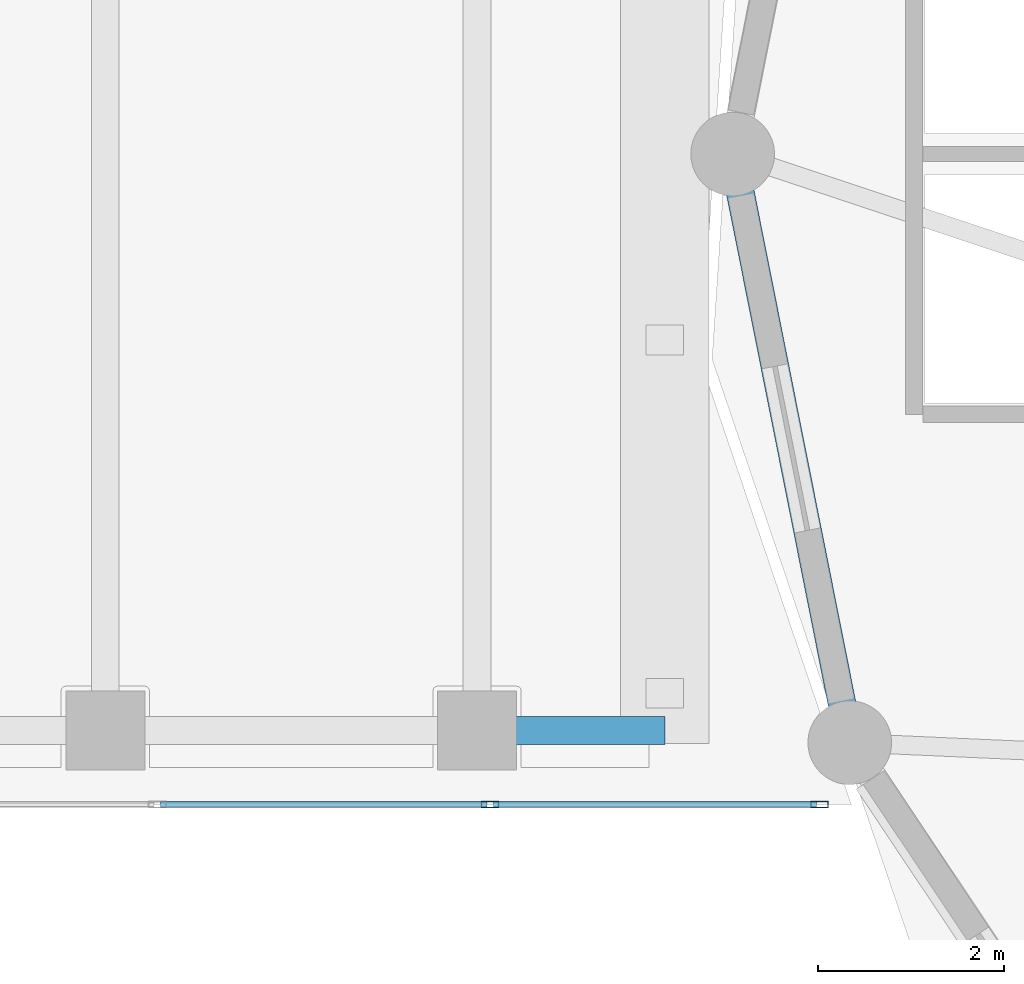
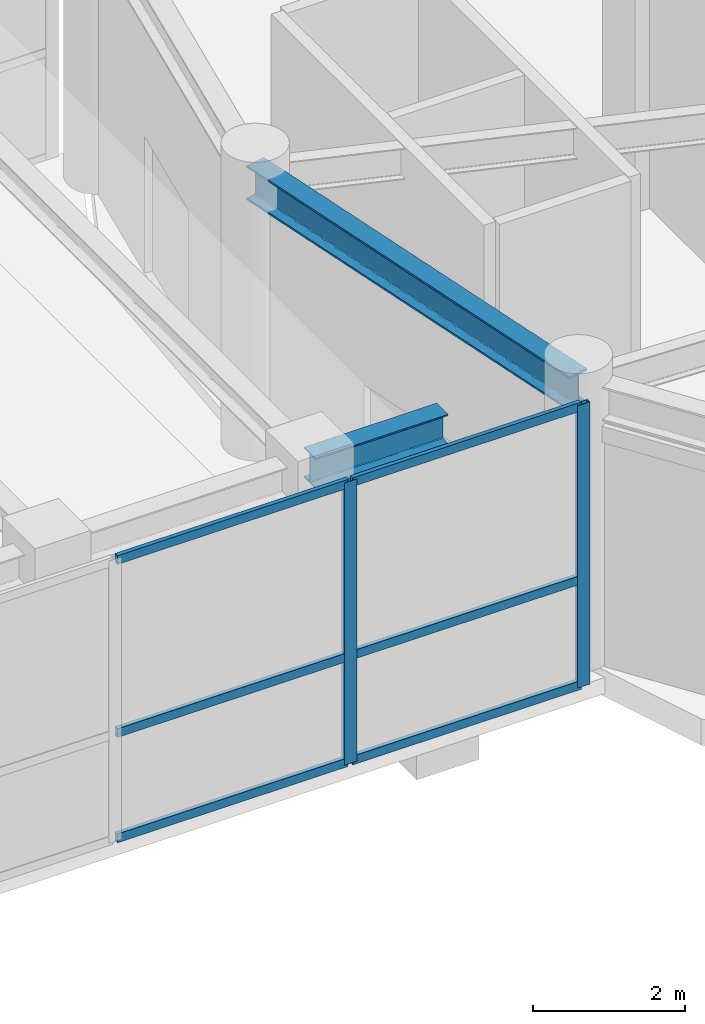
# One storey, part 23 of 48: 8 members, 2 beams, 1 element without a shape of its own.
"""IFC4 building model written with IfcOpenShell, lengths in metres."""

import ifcopenshell
import ifcopenshell.guid

model = None  # the IFC model being written
_history = None  # IfcOwnerHistory: only IFC2X3 demands one
_inside = {}  # id of a spatial element -> (the spatial element, [elements in it])
_under = {}  # id of a project, library or spatial element -> (it, [spatial elements below it])
_declared = {}  # id of a project -> (the project, [libraries it declares])
_typed = {}  # id of a type object -> (the type object, [elements of that type])
_made_of = {}  # id of a material, layer set ... -> (it, [elements and type objects made of it])


def new_model(schema):
    """Start an empty IFC model of exactly this schema.

    Asked for "IFC4X3", IfcOpenShell would pick the latest addendum, in which some entities
    have other attributes; the version numbers below select the first issue.
    IFC2X3 requires an IfcOwnerHistory on every rooted entity: one is made here for all.
    """
    global model, _history
    if schema == "IFC4X3":
        model = ifcopenshell.file(schema_version=(4, 3, 0, 0))
    else:
        model = ifcopenshell.file(schema=schema)
    _inside.clear()
    _under.clear()
    _declared.clear()
    _typed.clear()
    _made_of.clear()
    _history = None
    if model.schema == "IFC2X3":
        org = make("IfcOrganization", Name="unknown")
        user = make(
            "IfcPersonAndOrganization",
            ThePerson=make("IfcPerson", FamilyName="unknown"),
            TheOrganization=org,
        )
        app = make(
            "IfcApplication",
            ApplicationDeveloper=org,
            Version="unknown",
            ApplicationFullName="unknown",
            ApplicationIdentifier="unknown",
        )
        _history = make(
            "IfcOwnerHistory",
            OwningUser=user,
            OwningApplication=app,
            ChangeAction="ADDED",
            CreationDate=0,
        )
    return model


def make(cls, **values):
    """One entity of the class cls with the attributes given. An attribute that is None is left unset."""
    return model.create_entity(
        cls, **{name: value for name, value in values.items() if value is not None}
    )


def rooted(cls, **values):
    """An entity with a GlobalId (a new one), such as an element, a storey or a relation."""
    return make(cls, GlobalId=ifcopenshell.guid.new(), OwnerHistory=_history, **values)


def si_unit(unit_type, name, prefix=None):
    """IfcSIUnit, for example si_unit("LENGTHUNIT", "METRE", prefix="MILLI")."""
    return make("IfcSIUnit", UnitType=unit_type, Prefix=prefix, Name=name)


def derived_unit(unit_type, elements):
    """IfcDerivedUnit: a product of units, each with its exponent."""
    return make(
        "IfcDerivedUnit",
        Elements=[
            make("IfcDerivedUnitElement", Unit=unit, Exponent=power)
            for unit, power in elements
        ],
        UnitType=unit_type,
    )


def assignment(units):
    """IfcUnitAssignment: the units of a project."""
    return None if units is None else make("IfcUnitAssignment", Units=units)


def point(xyz):
    """IfcCartesianPoint."""
    return None if xyz is None else make("IfcCartesianPoint", Coordinates=xyz)


def direction(xyz):
    """IfcDirection."""
    return None if xyz is None else make("IfcDirection", DirectionRatios=xyz)


def frame(location, z_axis=None, x_axis=None):
    """IfcAxis2Placement3D, a coordinate frame: its origin and axes. An axis left out is left unset."""
    return make(
        "IfcAxis2Placement3D",
        Location=point(location),
        Axis=direction(z_axis),
        RefDirection=direction(x_axis),
    )


def frame_2d(location, x_axis=None):
    """IfcAxis2Placement2D, a coordinate frame in the plane: its origin and x axis."""
    return make(
        "IfcAxis2Placement2D", Location=point(location), RefDirection=direction(x_axis)
    )


def origin():
    """The frame at (0, 0, 0) with its axes left unset."""
    return frame((0.0, 0.0, 0.0))


def origin_2d():
    """The frame at (0, 0) in the plane with its x axis left unset."""
    return frame_2d((0.0, 0.0))


def place(relative_to, where):
    """IfcLocalPlacement: puts the frame where relative to a parent placement (None: the world)."""
    return make(
        "IfcLocalPlacement", PlacementRelTo=relative_to, RelativePlacement=where
    )


def context(
    kind, dimensions, precision=None, world=None, true_north=None, identifier=None
):
    """IfcGeometricRepresentationContext, for example the 3D "Model" context."""
    return make(
        "IfcGeometricRepresentationContext",
        ContextIdentifier=identifier,
        ContextType=kind,
        CoordinateSpaceDimension=dimensions,
        Precision=precision,
        WorldCoordinateSystem=world,
        TrueNorth=true_north,
    )


def subcontext(parent, identifier, kind, view, scale=None):
    """IfcGeometricRepresentationSubContext, for example "Body" below "Model"."""
    return make(
        "IfcGeometricRepresentationSubContext",
        ContextIdentifier=identifier,
        ContextType=kind,
        ParentContext=parent,
        TargetScale=scale,
        TargetView=view,
    )


def project(units=None, contexts=None):
    """IfcProject with its units and contexts."""
    return rooted(
        "IfcProject",
        Name="project",
        RepresentationContexts=contexts,
        UnitsInContext=assignment(units),
    )


def spatial(cls, under=None, at=None, **own):
    """A site, building, storey or space (cls), placed at a placement, below another one or the project."""
    s = rooted(cls, ObjectPlacement=at, **own)
    if under is not None:
        _under.setdefault(under.id(), (under, []))[1].append(s)
    return s


def profile(cls, at=None, kind="AREA", **sizes):
    """A parametric profile (cls). Its sizes go by their IFC names, for example OverallWidth=200.0."""
    return make(cls, ProfileType=kind, Position=at, **sizes)


def hollow_rectangle(**sizes):
    """IfcRectangleHollowProfileDef."""
    return profile("IfcRectangleHollowProfileDef", **sizes)


def i_section(**sizes):
    """IfcIShapeProfileDef."""
    return profile("IfcIShapeProfileDef", **sizes)


def extrude(swept, where, along, depth):
    """IfcExtrudedAreaSolid: the profile swept, set in the frame where, extruded along a direction by depth."""
    return make(
        "IfcExtrudedAreaSolid",
        SweptArea=swept,
        Position=where,
        ExtrudedDirection=direction(along),
        Depth=depth,
    )


def shape(context_of_items, identifier, shape_type, items):
    """IfcShapeRepresentation: the items that make up one representation, for example the "Body"."""
    return make(
        "IfcShapeRepresentation",
        ContextOfItems=context_of_items,
        RepresentationIdentifier=identifier,
        RepresentationType=shape_type,
        Items=items,
    )


def source(mapping_origin, context_of_items, identifier, shape_type, items):
    """IfcRepresentationMap: a shape defined once, which mapped items show again and again."""
    return make(
        "IfcRepresentationMap",
        MappingOrigin=mapping_origin,
        MappedRepresentation=shape(context_of_items, identifier, shape_type, items),
    )


def transform(
    local_origin,
    x_axis=None,
    y_axis=None,
    z_axis=None,
    scale=None,
    scale2=None,
    scale3=None,
    uniform=True,
):
    """IfcCartesianTransformationOperator3D, or its non-uniform kind. x_axis, y_axis, z_axis: its Axis1, 2, 3."""
    if uniform:
        return make(
            "IfcCartesianTransformationOperator3D",
            Axis1=direction(x_axis),
            Axis2=direction(y_axis),
            LocalOrigin=point(local_origin),
            Scale=scale,
            Axis3=direction(z_axis),
        )
    return make(
        "IfcCartesianTransformationOperator3DnonUniform",
        Axis1=direction(x_axis),
        Axis2=direction(y_axis),
        LocalOrigin=point(local_origin),
        Scale=scale,
        Axis3=direction(z_axis),
        Scale2=scale2,
        Scale3=scale3,
    )


def mapped(mapping_source, mapping_target):
    """IfcMappedItem: shows the shape of a source again, moved by a transform."""
    return make(
        "IfcMappedItem", MappingSource=mapping_source, MappingTarget=mapping_target
    )


def material(Name=None, Category=None):
    """IfcMaterial."""
    return make("IfcMaterial", Name=Name, Category=Category)


def layer(
    of_material, thickness, ventilated=None, Name=None, Category=None, Priority=None
):
    """IfcMaterialLayer: one layer of a wall or slab, of a material (None: an air gap)."""
    return make(
        "IfcMaterialLayer",
        Material=of_material,
        LayerThickness=thickness,
        IsVentilated=ventilated,
        Name=Name,
        Category=Category,
        Priority=Priority,
    )


def layer_set(layers, Name=None):
    """IfcMaterialLayerSet."""
    return make("IfcMaterialLayerSet", MaterialLayers=layers, LayerSetName=Name)


def material_profile(
    of_material, cross_section, Name=None, Category=None, Priority=None
):
    """IfcMaterialProfile: a cross section and its material."""
    return make(
        "IfcMaterialProfile",
        Name=Name,
        Material=of_material,
        Profile=cross_section,
        Priority=Priority,
        Category=Category,
    )


def profile_set(profiles, Name=None, composite=None):
    """IfcMaterialProfileSet."""
    return make(
        "IfcMaterialProfileSet",
        Name=Name,
        MaterialProfiles=profiles,
        CompositeProfile=composite,
    )


def made_of(thing, what):
    """Note that an element or type object is made of a material, layer set ...; save() writes the relation."""
    if what is not None:
        _made_of.setdefault(what.id(), (what, []))[1].append(thing)
    return thing


def type_object(cls, material=None, **own):
    """A type object (cls), such as IfcWallType, which elements share."""
    return made_of(rooted(cls, **own), material)


def element(
    cls,
    number,
    at=None,
    inside=None,
    cuts=None,
    type_object=None,
    material=None,
    context=None,
    identifier="Body",
    shape_type=None,
    held_by="IfcProductDefinitionShape",
    body=None,
    shapes=None,
    **own,
):
    """One element of the class cls, such as IfcWall. Its Tag is "e" and its number.

    at: its placement. inside: the storey or other place that contains it. cuts: it is an
    opening in that element (IfcRelVoidsElement). A single representation is given by context,
    identifier, shape_type and body (its items); several are given by shapes. held_by: the class
    of the entity that holds the representations. save() writes the other relations.
    """
    e = rooted(cls, Tag="e%d" % number, ObjectPlacement=at, **own)
    if body is not None:
        shapes = [shape(context, identifier, shape_type, body)]
    if shapes is not None:
        e.Representation = make(held_by, Representations=shapes)
    if inside is not None:
        _inside.setdefault(inside.id(), (inside, []))[1].append(e)
    if cuts is not None:
        rooted(
            "IfcRelVoidsElement", RelatingBuildingElement=cuts, RelatedOpeningElement=e
        )
    if type_object is not None:
        _typed.setdefault(type_object.id(), (type_object, []))[1].append(e)
    return made_of(e, material)


def aggregate(whole, parts):
    """IfcRelAggregates: a whole, such as a stair, and the parts it consists of."""
    return rooted("IfcRelAggregates", RelatingObject=whole, RelatedObjects=parts)


def save(model, path):
    """Write the relations noted so far, then the file.

    IfcRelAggregates (storeys below a building ...), IfcRelContainedInSpatialStructure (elements
    in a storey), IfcRelDefinesByType, IfcRelAssociatesMaterial and IfcRelDeclares: one each for
    every whole, place, type object, material and project.
    """
    for whole, parts in _under.values():
        aggregate(whole, parts)
    for where, things in _inside.values():
        rooted(
            "IfcRelContainedInSpatialStructure",
            RelatedElements=things,
            RelatingStructure=where,
        )
    for kind, things in _typed.values():
        rooted("IfcRelDefinesByType", RelatedObjects=things, RelatingType=kind)
    for what, things in _made_of.values():
        rooted("IfcRelAssociatesMaterial", RelatedObjects=things, RelatingMaterial=what)
    for by, libraries in _declared.values():
        rooted("IfcRelDeclares", RelatingContext=by, RelatedDefinitions=libraries)
    model.write(path)


model = new_model("IFC4")

# Units and contexts
model_context = context("Model", 3, precision=1e-05, world=origin(), true_north=direction((0.0, 1.0)))
body_context = subcontext(model_context, "Body", "Model", "MODEL_VIEW")
ifc_project = project(units=[si_unit("LENGTHUNIT", "METRE"), si_unit("AREAUNIT", "SQUARE_METRE"), si_unit("VOLUMEUNIT", "CUBIC_METRE"), si_unit("PLANEANGLEUNIT", "RADIAN"), si_unit("MASSUNIT", "GRAM", prefix="KILO"), derived_unit("THERMALTRANSMITTANCEUNIT", [(si_unit("POWERUNIT", "WATT"), 1), (si_unit("LENGTHUNIT", "METRE"), -2), (si_unit("THERMODYNAMICTEMPERATUREUNIT", "KELVIN"), -1)])], contexts=[model_context])

# Site, building, storey
site_placement = place(None, origin())
site = spatial("IfcSite", under=ifc_project, at=site_placement, CompositionType="ELEMENT")
building_placement = place(site_placement, origin())
building = spatial("IfcBuilding", under=site, at=building_placement, Name="Korsvarv Bourse and Concert Hall", CompositionType="ELEMENT")
storey_placement = place(building_placement, frame((0.0, 0.0, 4.800048828125)))
storey = spatial("IfcBuildingStorey", under=building, at=storey_placement, Name="L01", CompositionType="ELEMENT", Elevation=4.800048828125)

# Beams
ifc_material_1 = material(Name="Steel S355", Category="steel")
ifc_material_profile_1 = material_profile(ifc_material_1, i_section(OverallWidth=0.300048828125, OverallDepth=0.489990234375, WebThickness=0.011962890625, FlangeThickness=0.02294921875, FilletRadius=0.02392578125, at=origin_2d()), Name="HEA 500")
ifc_profile_set_1 = profile_set([ifc_material_profile_1], Name="Steel S355")
beam_type_1 = type_object("IfcBeamType", Name="BM-HEA500", PredefinedType="BEAM", material=ifc_profile_set_1)
shared_shape_1 = source(origin(), body_context, "Body", "SweptSolid", [
    extrude(i_section(OverallWidth=0.300048828125, OverallDepth=0.489990234375, WebThickness=0.011962890625, FlangeThickness=0.02294921875, FilletRadius=0.02392578125, at=origin_2d()), origin(), (0.0, 0.0, 1.0), 2.02001953125),
])
beam_1_placement = place(storey_placement, frame((87.5, 29.800048828125, 4.294921875), z_axis=(1.0, 0.0, 0.0), x_axis=(0.0, 1.0, 0.0)))
element("IfcBeam", 1, at=beam_1_placement, inside=storey, type_object=beam_type_1, Name="L01 beam B-10", PredefinedType="BEAM", context=body_context, shape_type="MappedRepresentation", body=[
    mapped(shared_shape_1, transform((0.0, 0.0, 0.0), scale=1.0)),
])
ifc_material_profile_2 = material_profile(ifc_material_1, i_section(OverallWidth=0.300048828125, OverallDepth=0.550048828125, WebThickness=0.014892578125, FlangeThickness=0.029052734375, FilletRadius=0.02392578125, at=origin_2d()), Name="HEB 550")
ifc_profile_set_2 = profile_set([ifc_material_profile_2], Name="Steel S355")
beam_type_2 = type_object("IfcBeamType", Name="BM-HEB550", PredefinedType="BEAM", material=ifc_profile_set_2)
shared_shape_2 = source(origin(), body_context, "Body", "SweptSolid", [
    extrude(i_section(OverallWidth=0.300048828125, OverallDepth=0.550048828125, WebThickness=0.014892578125, FlangeThickness=0.029052734375, FilletRadius=0.02392578125, at=origin_2d()), origin(), (0.0, 0.0, 1.0), 6.45751953125),
])
beam_2_placement = place(storey_placement, frame((90.25, 36.0, 4.224853515625), z_axis=(0.195083607229, -0.980786616034, 0.0), x_axis=(0.980786616034, 0.195083607229, 0.0)))
element("IfcBeam", 2, at=beam_2_placement, inside=storey, type_object=beam_type_2, Name="L01 beam B-06", PredefinedType="BEAM", context=body_context, shape_type="MappedRepresentation", body=[
    mapped(shared_shape_2, transform((0.0, 0.0, 0.0), scale=1.0)),
])

# Curtain wall, members
ifc_material_2 = material(Name="Anodised aluminium and triple low-E glazing", Category="glass")
ifc_layer = layer(ifc_material_2, 0.239990234375)
ifc_layer_set = layer_set([ifc_layer], Name="Anodised aluminium and triple low-E glazing")
curtain_wall_type = type_object("IfcCurtainWallType", Name="CW-SYS-5", PredefinedType="NOTDEFINED", material=ifc_layer_set)
curtain_wall_placement = place(storey_placement, origin())
curtain_wall = element("IfcCurtainWall", 3, at=curtain_wall_placement, inside=storey, type_object=curtain_wall_type, Name="L01 CW5 curtain wall CW-L01-LKS", PredefinedType="NOTDEFINED")
ifc_material_3 = material(Name="Extruded aluminium EN AW-6063 T66", Category="aluminium")
ifc_material_profile_3 = material_profile(ifc_material_3, hollow_rectangle(XDim=0.070068359375, YDim=0.18994140625, WallThickness=0.0048828125, at=origin_2d()), Name="ALU-M 70x190")
ifc_profile_set_3 = profile_set([ifc_material_profile_3], Name="Extruded aluminium EN AW-6063 T66")
member_type_1 = type_object("IfcMemberType", Name="CWM-190", PredefinedType="MULLION", material=ifc_profile_set_3)
shared_shape_3 = source(origin(), body_context, "Body", "SweptSolid", [
    extrude(hollow_rectangle(XDim=0.070068359375, YDim=0.18994140625, WallThickness=0.0048828125, at=origin_2d()), origin(), (0.0, 0.0, 1.0), 4.5400390625),
])
member_1_placement = place(storey_placement, frame((87.639892578125, 29.0, 0.0), z_axis=(0.0, 0.0, 1.0), x_axis=(0.0, 1.0, 0.0)))
member_1 = element("IfcMember", 4, at=member_1_placement, type_object=member_type_1, Name="CW5 mullion 7", PredefinedType="MULLION", context=body_context, shape_type="MappedRepresentation", body=[
    mapped(shared_shape_3, transform((0.0, 0.0, 0.0), scale=1.0)),
])
member_2_placement = place(storey_placement, frame((91.18505859375, 29.0, 0.0), z_axis=(0.0, 0.0, 1.0), x_axis=(0.0, 1.0, 0.0)))
member_2 = element("IfcMember", 5, at=member_2_placement, type_object=member_type_1, Name="CW5 mullion 8", PredefinedType="MULLION", context=body_context, shape_type="MappedRepresentation", body=[
    mapped(shared_shape_3, transform((0.0, 0.0, 0.0), scale=1.0)),
])
ifc_material_profile_4 = material_profile(ifc_material_3, hollow_rectangle(XDim=0.06494140625, YDim=0.139892578125, WallThickness=0.00390625, at=origin_2d()), Name="ALU-T 65x140")
ifc_profile_set_4 = profile_set([ifc_material_profile_4], Name="Extruded aluminium EN AW-6063 T66")
member_type_2 = type_object("IfcMemberType", Name="CWT-140", PredefinedType="USERDEFINED", material=ifc_profile_set_4)
shared_shape_4 = source(origin(), body_context, "Body", "SweptSolid", [
    extrude(hollow_rectangle(XDim=0.06494140625, YDim=0.139892578125, WallThickness=0.00390625, at=origin_2d()), origin(), (0.0, 0.0, 1.0), 3.510009765625),
])
member_3_placement = place(storey_placement, frame((84.094970703125, 29.0, 0.032470703125), z_axis=(1.0, 0.0, 0.0), x_axis=(0.0, 1.0, 0.0)))
member_3 = element("IfcMember", 6, at=member_3_placement, type_object=member_type_2, Name="CW5 transom 6.1", ObjectType="TRANSOM", PredefinedType="USERDEFINED", context=body_context, shape_type="MappedRepresentation", body=[
    mapped(shared_shape_4, transform((0.0, 0.0, 0.0), scale=1.0)),
])
member_4_placement = place(storey_placement, frame((84.094970703125, 29.0, 1.72509765625), z_axis=(1.0, 0.0, 0.0), x_axis=(0.0, 1.0, 0.0)))
member_4 = element("IfcMember", 7, at=member_4_placement, type_object=member_type_2, Name="CW5 transom 6.2", ObjectType="TRANSOM", PredefinedType="USERDEFINED", context=body_context, shape_type="MappedRepresentation", body=[
    mapped(shared_shape_4, transform((0.0, 0.0, 0.0), scale=1.0)),
])
member_5_placement = place(storey_placement, frame((84.094970703125, 29.0, 4.507568359375), z_axis=(1.0, 0.0, 0.0), x_axis=(0.0, 1.0, 0.0)))
member_5 = element("IfcMember", 8, at=member_5_placement, type_object=member_type_2, Name="CW5 transom 6.3", ObjectType="TRANSOM", PredefinedType="USERDEFINED", context=body_context, shape_type="MappedRepresentation", body=[
    mapped(shared_shape_4, transform((0.0, 0.0, 0.0), scale=1.0)),
])
shared_shape_5 = source(origin(), body_context, "Body", "SweptSolid", [
    extrude(hollow_rectangle(XDim=0.06494140625, YDim=0.139892578125, WallThickness=0.00390625, at=origin_2d()), origin(), (0.0, 0.0, 1.0), 3.474853515625),
])
member_6_placement = place(storey_placement, frame((87.675048828125, 29.0, 0.032470703125), z_axis=(1.0, 0.0, 0.0), x_axis=(0.0, 1.0, 0.0)))
member_6 = element("IfcMember", 9, at=member_6_placement, type_object=member_type_2, Name="CW5 transom 7.1", ObjectType="TRANSOM", PredefinedType="USERDEFINED", context=body_context, shape_type="MappedRepresentation", body=[
    mapped(shared_shape_5, transform((0.0, 0.0, 0.0), scale=1.0)),
])
member_7_placement = place(storey_placement, frame((87.675048828125, 29.0, 1.72509765625), z_axis=(1.0, 0.0, 0.0), x_axis=(0.0, 1.0, 0.0)))
member_7 = element("IfcMember", 10, at=member_7_placement, type_object=member_type_2, Name="CW5 transom 7.2", ObjectType="TRANSOM", PredefinedType="USERDEFINED", context=body_context, shape_type="MappedRepresentation", body=[
    mapped(shared_shape_5, transform((0.0, 0.0, 0.0), scale=1.0)),
])
member_8_placement = place(storey_placement, frame((87.675048828125, 29.0, 4.507568359375), z_axis=(1.0, 0.0, 0.0), x_axis=(0.0, 1.0, 0.0)))
member_8 = element("IfcMember", 11, at=member_8_placement, type_object=member_type_2, Name="CW5 transom 7.3", ObjectType="TRANSOM", PredefinedType="USERDEFINED", context=body_context, shape_type="MappedRepresentation", body=[
    mapped(shared_shape_5, transform((0.0, 0.0, 0.0), scale=1.0)),
])
aggregate(curtain_wall, [member_1, member_2, member_3, member_4, member_5, member_6, member_7, member_8])

save(model, "model.ifc")
